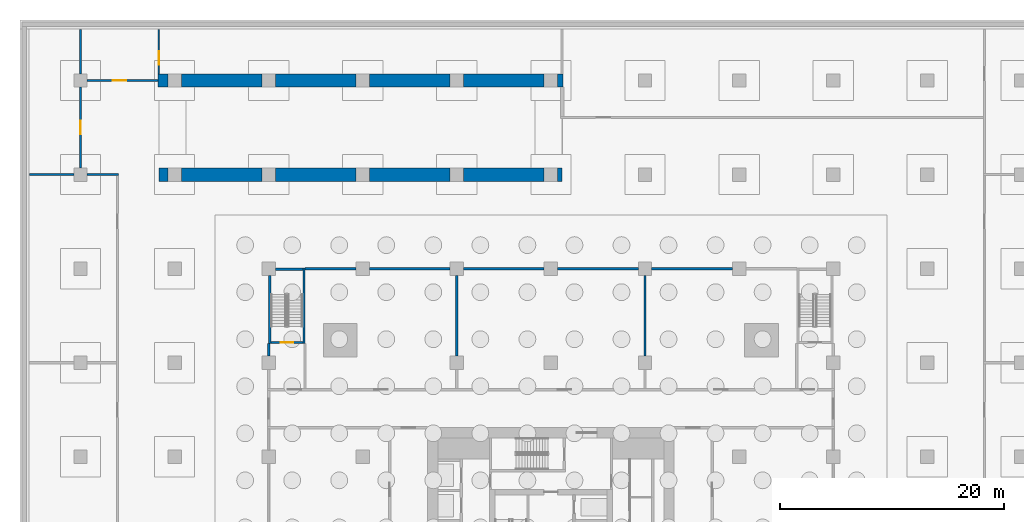
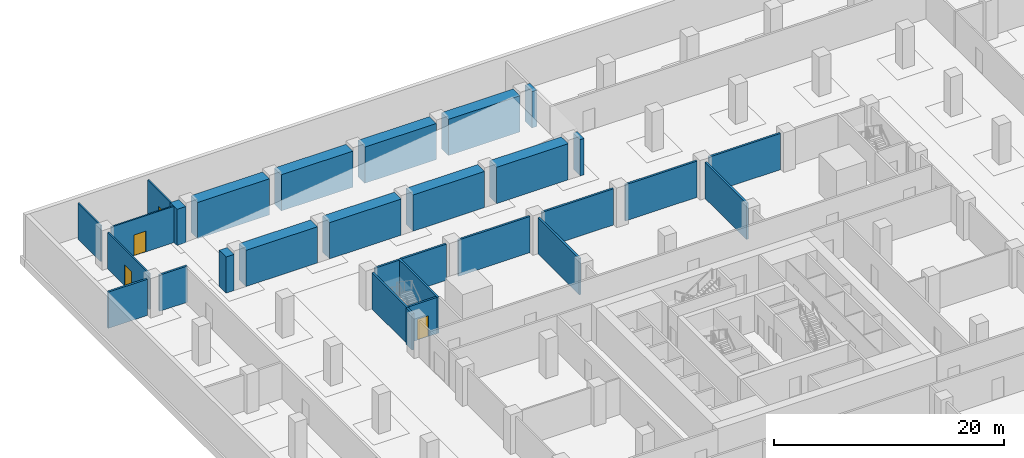
# One storey, part 11 of 19: 30 walls, 4 doors, 4 openings.
"""IFC4 building model written with IfcOpenShell, lengths in metres."""

from ifc_helpers import new_model, si_unit, direction, frame, frame_2d, origin, place, context, subcontext, project, spatial, rectangle, extrude, material, layer, layer_set, type_object, element, fill, save


model = new_model("IFC4")

# Units and contexts
model_context = context("Model", 3, precision=1e-05, world=origin(), true_north=direction((0.0, 1.0)))
body_context = subcontext(model_context, "Body", "Model", "MODEL_VIEW")
ifc_project = project(units=[si_unit("LENGTHUNIT", "METRE"), si_unit("AREAUNIT", "SQUARE_METRE"), si_unit("VOLUMEUNIT", "CUBIC_METRE"), si_unit("PLANEANGLEUNIT", "RADIAN"), si_unit("MASSUNIT", "GRAM", prefix="KILO")], contexts=[model_context])

# Site, building, storey
site_placement = place(None, origin())
site = spatial("IfcSite", under=ifc_project, at=site_placement, CompositionType="ELEMENT")
building_placement = place(site_placement, origin())
building = spatial("IfcBuilding", under=site, at=building_placement, Name="Khepri Terraces", CompositionType="ELEMENT")
storey_placement = place(building_placement, frame((0.0, 0.0, -8.39990234375)))
storey = spatial("IfcBuildingStorey", under=building, at=storey_placement, Name="B2", CompositionType="ELEMENT", Elevation=-8.39990234375)

# Wall, opening, door
ifc_material_1 = material(Name="Gypsum board partition")
ifc_layer_1 = layer(ifc_material_1, 0.14990234375, Name="Gypsum board partition")
ifc_layer_set_1 = layer_set([ifc_layer_1], Name="Gypsum board partition")
wall_type_1 = type_object("IfcWallType", Name="WL-POD-150", PredefinedType="PARTITIONING", material=ifc_layer_set_1)
wall_1_placement = place(storey_placement, frame((-41.39990234375, 42.0, 0.0), z_axis=(0.0, 0.0, 1.0), x_axis=(1.0, 0.0, 0.0)))
wall_1 = element("IfcWall", 1, at=wall_1_placement, inside=storey, type_object=wall_type_1, Name="Partition B2-PW048", PredefinedType="PARTITIONING", context=body_context, shape_type="SweptSolid", body=[
    extrude(rectangle(XDim=6.324951171875, YDim=0.14990234375, at=frame_2d((3.16259765625, 0.0))), origin(), (0.0, 0.0, 1.0), 3.849853515625),
])
opening_1_placement = place(wall_1_placement, frame((2.300048828125, 0.0, 0.0)))
opening_1 = element("IfcOpeningElement", 2, at=opening_1_placement, cuts=wall_1, Name="Opening B2-P37", PredefinedType="OPENING", context=body_context, shape_type="SweptSolid", body=[
    extrude(rectangle(XDim=1.199951171875, YDim=2.199951171875, at=frame_2d((0.60009765625, 1.10009765625))), frame((0.0, 0.0849609375, 0.0), z_axis=(0.0, -1.0, 0.0), x_axis=(1.0, 0.0, 0.0)), (0.0, 0.0, 1.0), 0.169921875),
])
ifc_material_2 = material(Name="Timber veneer", Category="wood")
door_type_1 = type_object("IfcDoorType", Name="DR-POD-SINGLE-1200", OperationType="NOTDEFINED", PredefinedType="DOOR", material=ifc_material_2)
door_1_placement = place(opening_1_placement, origin())
door_1 = element("IfcDoor", 3, at=door_1_placement, inside=storey, type_object=door_type_1, Name="Door B2-P37", OperationType="SINGLE_SWING_LEFT", OverallHeight=2.199951171875, OverallWidth=1.199951171875, PredefinedType="DOOR", context=body_context, shape_type="SweptSolid", body=[
    extrude(rectangle(XDim=1.199951171875, YDim=2.199951171875, at=frame_2d((0.60009765625, 1.10009765625))), frame((0.0, 0.02490234375, 0.0), z_axis=(0.0, -1.0, 0.0), x_axis=(1.0, 0.0, 0.0)), (0.0, 0.0, 1.0), 0.050048828125),
])
fill(opening_1, door_1)

wall_2_placement = place(storey_placement, frame((-42.0, 34.199951171875, 0.0), z_axis=(0.0, 0.0, 1.0), x_axis=(0.0, 1.0, 0.0)))
wall_2 = element("IfcWall", 4, at=wall_2_placement, inside=storey, type_object=wall_type_1, Name="Partition B2-PW055", PredefinedType="PARTITIONING", context=body_context, shape_type="SweptSolid", body=[
    extrude(rectangle(XDim=7.199951171875, YDim=0.14990234375, at=frame_2d((3.60009765625, 0.0))), origin(), (0.0, 0.0, 1.0), 3.849853515625),
])
opening_2_placement = place(wall_2_placement, frame((3.0, 0.0, 0.0)))
opening_2 = element("IfcOpeningElement", 5, at=opening_2_placement, cuts=wall_2, Name="Opening B2-P35", PredefinedType="OPENING", context=body_context, shape_type="SweptSolid", body=[
    extrude(rectangle(XDim=1.199951171875, YDim=2.199951171875, at=frame_2d((0.60009765625, 1.10009765625))), frame((0.0, 0.0849609375, 0.0), z_axis=(0.0, -1.0, 0.0), x_axis=(1.0, 0.0, 0.0)), (0.0, 0.0, 1.0), 0.169921875),
])
door_2_placement = place(opening_2_placement, origin())
door_2 = element("IfcDoor", 6, at=door_2_placement, inside=storey, type_object=door_type_1, Name="Door B2-P35", OperationType="SINGLE_SWING_LEFT", OverallHeight=2.199951171875, OverallWidth=1.199951171875, PredefinedType="DOOR", context=body_context, shape_type="SweptSolid", body=[
    extrude(rectangle(XDim=1.199951171875, YDim=2.199951171875, at=frame_2d((0.60009765625, 1.10009765625))), frame((0.0, 0.02490234375, 0.0), z_axis=(0.0, -1.0, 0.0), x_axis=(1.0, 0.0, 0.0)), (0.0, 0.0, 1.0), 0.050048828125),
])
fill(opening_2, door_2)

# Wall
wall_3_placement = place(storey_placement, frame((-42.0, 42.60009765625, 0.0), z_axis=(0.0, 0.0, 1.0), x_axis=(0.0, 1.0, 0.0)))
element("IfcWall", 7, at=wall_3_placement, inside=storey, type_object=wall_type_1, Name="Partition B2-PW056", PredefinedType="PARTITIONING", context=body_context, shape_type="SweptSolid", body=[
    extrude(rectangle(XDim=3.949951171875, YDim=0.14990234375, at=frame_2d((1.97509765625, 0.0))), origin(), (0.0, 0.0, 1.0), 3.849853515625),
])

# Wall, opening, door
wall_4_placement = place(storey_placement, frame((-35.0, 42.60009765625, 0.0), z_axis=(0.0, 0.0, 1.0), x_axis=(0.0, 1.0, 0.0)))
wall_4 = element("IfcWall", 8, at=wall_4_placement, inside=storey, type_object=wall_type_1, Name="Partition B2-PW058", PredefinedType="PARTITIONING", context=body_context, shape_type="SweptSolid", body=[
    extrude(rectangle(XDim=3.949951171875, YDim=0.14990234375, at=frame_2d((1.97509765625, 0.0))), origin(), (0.0, 0.0, 1.0), 3.849853515625),
])
opening_3_placement = place(wall_4_placement, frame((0.800048828125, 0.0, 0.0)))
opening_3 = element("IfcOpeningElement", 9, at=opening_3_placement, cuts=wall_4, Name="Opening B2-P39", PredefinedType="OPENING", context=body_context, shape_type="SweptSolid", body=[
    extrude(rectangle(XDim=1.199951171875, YDim=2.199951171875, at=frame_2d((0.60009765625, 1.10009765625))), frame((0.0, 0.0849609375, 0.0), z_axis=(0.0, -1.0, 0.0), x_axis=(1.0, 0.0, 0.0)), (0.0, 0.0, 1.0), 0.169921875),
])
door_3_placement = place(opening_3_placement, origin())
door_3 = element("IfcDoor", 10, at=door_3_placement, inside=storey, type_object=door_type_1, Name="Door B2-P39", OperationType="SINGLE_SWING_RIGHT", OverallHeight=2.199951171875, OverallWidth=1.199951171875, PredefinedType="DOOR", context=body_context, shape_type="SweptSolid", body=[
    extrude(rectangle(XDim=1.199951171875, YDim=2.199951171875, at=frame_2d((0.60009765625, 1.10009765625))), frame((0.0, 0.02490234375, 0.0), z_axis=(0.0, -1.0, 0.0), x_axis=(1.0, 0.0, 0.0)), (0.0, 0.0, 1.0), 0.050048828125),
])
fill(opening_3, door_3)

# Walls
ifc_material_3 = material(Name="Fire-rated block wall")
ifc_layer_2 = layer(ifc_material_3, 0.199951171875, Name="Fire-rated block wall")
ifc_layer_set_2 = layer_set([ifc_layer_2], Name="Fire-rated block wall")
wall_type_2 = type_object("IfcWallType", Name="WL-POD-200-EI120", PredefinedType="PARTITIONING", material=ifc_layer_set_2)
wall_5_placement = place(storey_placement, frame((-21.949951171875, 25.199951171875, 0.0), z_axis=(0.0, 0.0, 1.0), x_axis=(1.0, 0.0, 0.0)))
element("IfcWall", 11, at=wall_5_placement, inside=storey, type_object=wall_type_2, Name="Partition B2-PW031", PredefinedType="PARTITIONING", context=body_context, shape_type="SweptSolid", body=[
    extrude(rectangle(XDim=4.550048828125, YDim=0.199951171875, at=frame_2d((2.27490234375, 0.0))), origin(), (0.0, 0.0, 1.0), 3.849853515625),
])
for number, where, z_axis, x_axis, name in (
    (12, (-16.199951171875, 25.199951171875, 0.0), (0.0, 0.0, 1.0), (1.0, 0.0, 0.0), "Partition B2-PW032"),
    (13, (-7.800048828125, 25.199951171875, 0.0), (0.0, 0.0, 1.0), (1.0, 0.0, 0.0), "Partition B2-PW033"),
    (14, (0.60009765625, 25.199951171875, 0.0), (0.0, 0.0, 1.0), (1.0, 0.0, 0.0), "Partition B2-PW034"),
    (15, (9.0, 25.199951171875, 0.0), (0.0, 0.0, 1.0), (1.0, 0.0, 0.0), "Partition B2-PW035"),
):
    element("IfcWall", number, at=place(storey_placement, frame(where, z_axis=z_axis, x_axis=x_axis)), inside=storey, type_object=wall_type_2, Name=name, PredefinedType="PARTITIONING", context=body_context, shape_type="SweptSolid", body=[
        extrude(rectangle(XDim=7.199951171875, YDim=0.199951171875, at=frame_2d((3.60009765625, 0.0))), origin(), (0.0, 0.0, 1.0), 3.849853515625),
    ])
wall_6_placement = place(storey_placement, frame((-46.550048828125, 33.60009765625, 0.0), z_axis=(0.0, 0.0, 1.0), x_axis=(1.0, 0.0, 0.0)))
element("IfcWall", 16, at=wall_6_placement, inside=storey, type_object=wall_type_2, Name="Partition B2-PW037", PredefinedType="PARTITIONING", context=body_context, shape_type="SweptSolid", body=[
    extrude(rectangle(XDim=3.949951171875, YDim=0.199951171875, at=frame_2d((1.97509765625, 0.0))), origin(), (0.0, 0.0, 1.0), 3.849853515625),
])
wall_7_placement = place(storey_placement, frame((-41.39990234375, 33.60009765625, 0.0), z_axis=(0.0, 0.0, 1.0), x_axis=(1.0, 0.0, 0.0)))
element("IfcWall", 17, at=wall_7_placement, inside=storey, type_object=wall_type_2, Name="Partition B2-PW038", PredefinedType="PARTITIONING", context=body_context, shape_type="SweptSolid", body=[
    extrude(rectangle(XDim=2.7998046875, YDim=0.199951171875, at=frame_2d((1.39990234375, 0.0))), origin(), (0.0, 0.0, 1.0), 3.849853515625),
])
wall_8_placement = place(storey_placement, frame((-25.199951171875, 17.39990234375, 0.0), z_axis=(0.0, 0.0, 1.0), x_axis=(0.0, 1.0, 0.0)))
element("IfcWall", 18, at=wall_8_placement, inside=storey, type_object=wall_type_2, Name="Partition B2-PW068", PredefinedType="PARTITIONING", context=body_context, shape_type="SweptSolid", body=[
    extrude(rectangle(XDim=1.10009765625, YDim=0.199951171875, at=frame_2d((0.550048828125, 0.0))), origin(), (0.0, 0.0, 1.0), 3.849853515625),
])
for number, where, z_axis, x_axis, name in (
    (19, (-8.39990234375, 17.39990234375, 0.0), (0.0, 0.0, 1.0), (0.0, 1.0, 0.0), "Partition B2-PW077"),
    (20, (8.39990234375, 17.39990234375, 0.0), (0.0, 0.0, 1.0), (0.0, 1.0, 0.0), "Partition B2-PW085"),
):
    element("IfcWall", number, at=place(storey_placement, frame(where, z_axis=z_axis, x_axis=x_axis)), inside=storey, type_object=wall_type_2, Name=name, PredefinedType="PARTITIONING", context=body_context, shape_type="SweptSolid", body=[
        extrude(rectangle(XDim=7.2001953125, YDim=0.199951171875, at=frame_2d((3.60009765625, 0.0))), origin(), (0.0, 0.0, 1.0), 3.849853515625),
    ])
ifc_material_4 = material(Name="Concrete C40/50", Category="concrete")
ifc_layer_3 = layer(ifc_material_4, 1.199951171875, Name="Concrete C40/50", Category="concrete")
ifc_layer_set_3 = layer_set([ifc_layer_3], Name="Concrete C40/50")
wall_type_3 = type_object("IfcWallType", Name="WL-POD-RAMP-1200", PredefinedType="SOLIDWALL", material=ifc_layer_set_3)
wall_9_placement = place(storey_placement, frame((-35.0, 33.60009765625, 0.0), z_axis=(0.0, 0.0, 1.0), x_axis=(1.0, 0.0, 0.0)))
element("IfcWall", 21, at=wall_9_placement, inside=storey, type_object=wall_type_3, Name="Ramp wall B2-PW039", PredefinedType="SOLIDWALL", context=body_context, shape_type="SweptSolid", body=[
    extrude(rectangle(XDim=0.800048828125, YDim=1.199951171875, at=frame_2d((0.39990234375, 0.0))), origin(), (0.0, 0.0, 1.0), 3.849853515625),
])
wall_10_placement = place(storey_placement, frame((-33.0, 33.60009765625, 0.0), z_axis=(0.0, 0.0, 1.0), x_axis=(1.0, 0.0, 0.0)))
element("IfcWall", 22, at=wall_10_placement, inside=storey, type_object=wall_type_3, Name="Ramp wall B2-PW040", PredefinedType="SOLIDWALL", context=body_context, shape_type="SweptSolid", body=[
    extrude(rectangle(XDim=7.199951171875, YDim=1.199951171875, at=frame_2d((3.60009765625, 0.0))), origin(), (0.0, 0.0, 1.0), 3.849853515625),
])
wall_11_placement = place(storey_placement, frame((-24.60009765625, 33.60009765625, 0.0), z_axis=(0.0, 0.0, 1.0), x_axis=(1.0, 0.0, 0.0)))
element("IfcWall", 23, at=wall_11_placement, inside=storey, type_object=wall_type_3, Name="Ramp wall B2-PW041", PredefinedType="SOLIDWALL", context=body_context, shape_type="SweptSolid", body=[
    extrude(rectangle(XDim=7.2001953125, YDim=1.199951171875, at=frame_2d((3.60009765625, 0.0))), origin(), (0.0, 0.0, 1.0), 3.849853515625),
])
for number, where, z_axis, x_axis, name in (
    (24, (-16.199951171875, 33.60009765625, 0.0), (0.0, 0.0, 1.0), (1.0, 0.0, 0.0), "Ramp wall B2-PW042"),
    (25, (-7.800048828125, 33.60009765625, 0.0), (0.0, 0.0, 1.0), (1.0, 0.0, 0.0), "Ramp wall B2-PW043"),
):
    element("IfcWall", number, at=place(storey_placement, frame(where, z_axis=z_axis, x_axis=x_axis)), inside=storey, type_object=wall_type_3, Name=name, PredefinedType="SOLIDWALL", context=body_context, shape_type="SweptSolid", body=[
        extrude(rectangle(XDim=7.199951171875, YDim=1.199951171875, at=frame_2d((3.60009765625, 0.0))), origin(), (0.0, 0.0, 1.0), 3.849853515625),
    ])
wall_12_placement = place(storey_placement, frame((0.60009765625, 33.60009765625, 0.0), z_axis=(0.0, 0.0, 1.0), x_axis=(1.0, 0.0, 0.0)))
element("IfcWall", 26, at=wall_12_placement, inside=storey, type_object=wall_type_3, Name="Ramp wall B2-PW044", PredefinedType="SOLIDWALL", context=body_context, shape_type="SweptSolid", body=[
    extrude(rectangle(XDim=0.39990234375, YDim=1.199951171875, at=frame_2d((0.199951171875, 0.0))), origin(), (0.0, 0.0, 1.0), 3.849853515625),
])
wall_13_placement = place(storey_placement, frame((-35.074951171875, 42.0, 0.0), z_axis=(0.0, 0.0, 1.0), x_axis=(1.0, 0.0, 0.0)))
element("IfcWall", 27, at=wall_13_placement, inside=storey, type_object=wall_type_3, Name="Ramp wall B2-PW049", PredefinedType="SOLIDWALL", context=body_context, shape_type="SweptSolid", body=[
    extrude(rectangle(XDim=0.875, YDim=1.199951171875, at=frame_2d((0.4375, 0.0))), origin(), (0.0, 0.0, 1.0), 3.849853515625),
])
wall_14_placement = place(storey_placement, frame((-33.0, 42.0, 0.0), z_axis=(0.0, 0.0, 1.0), x_axis=(1.0, 0.0, 0.0)))
element("IfcWall", 28, at=wall_14_placement, inside=storey, type_object=wall_type_3, Name="Ramp wall B2-PW050", PredefinedType="SOLIDWALL", context=body_context, shape_type="SweptSolid", body=[
    extrude(rectangle(XDim=7.199951171875, YDim=1.199951171875, at=frame_2d((3.60009765625, 0.0))), origin(), (0.0, 0.0, 1.0), 3.849853515625),
])
wall_15_placement = place(storey_placement, frame((-24.60009765625, 42.0, 0.0), z_axis=(0.0, 0.0, 1.0), x_axis=(1.0, 0.0, 0.0)))
element("IfcWall", 29, at=wall_15_placement, inside=storey, type_object=wall_type_3, Name="Ramp wall B2-PW051", PredefinedType="SOLIDWALL", context=body_context, shape_type="SweptSolid", body=[
    extrude(rectangle(XDim=7.2001953125, YDim=1.199951171875, at=frame_2d((3.60009765625, 0.0))), origin(), (0.0, 0.0, 1.0), 3.849853515625),
])
for number, where, z_axis, x_axis, name in (
    (30, (-16.199951171875, 42.0, 0.0), (0.0, 0.0, 1.0), (1.0, 0.0, 0.0), "Ramp wall B2-PW052"),
    (31, (-7.800048828125, 42.0, 0.0), (0.0, 0.0, 1.0), (1.0, 0.0, 0.0), "Ramp wall B2-PW053"),
):
    element("IfcWall", number, at=place(storey_placement, frame(where, z_axis=z_axis, x_axis=x_axis)), inside=storey, type_object=wall_type_3, Name=name, PredefinedType="SOLIDWALL", context=body_context, shape_type="SweptSolid", body=[
        extrude(rectangle(XDim=7.199951171875, YDim=1.199951171875, at=frame_2d((3.60009765625, 0.0))), origin(), (0.0, 0.0, 1.0), 3.849853515625),
    ])
wall_16_placement = place(storey_placement, frame((0.60009765625, 42.0, 0.0), z_axis=(0.0, 0.0, 1.0), x_axis=(1.0, 0.0, 0.0)))
element("IfcWall", 32, at=wall_16_placement, inside=storey, type_object=wall_type_3, Name="Ramp wall B2-PW054", PredefinedType="SOLIDWALL", context=body_context, shape_type="SweptSolid", body=[
    extrude(rectangle(XDim=0.5, YDim=1.199951171875, at=frame_2d((0.25, 0.0))), origin(), (0.0, 0.0, 1.0), 3.849853515625),
])
ifc_layer_4 = layer(ifc_material_4, 0.199951171875, Name="Concrete C40/50", Category="concrete")
ifc_layer_set_4 = layer_set([ifc_layer_4], Name="Concrete C40/50")
wall_type_4 = type_object("IfcWallType", Name="WL-POD-STAIR-200", PredefinedType="SOLIDWALL", material=ifc_layer_set_4)
wall_17_placement = place(storey_placement, frame((-25.10009765625, 18.5, 0.0), z_axis=(0.0, 0.0, 1.0), x_axis=(0.0, 1.0, 0.0)))
element("IfcWall", 33, at=wall_17_placement, inside=storey, type_object=wall_type_4, Name="Stair enclosure PS-2 B2-W", PredefinedType="SOLIDWALL", context=body_context, shape_type="SweptSolid", body=[
    extrude(rectangle(XDim=6.10009765625, YDim=0.199951171875, at=frame_2d((3.050048828125, 0.0))), origin(), (0.0, 0.0, 1.0), 3.849853515625),
])
wall_18_placement = place(storey_placement, frame((-22.050048828125, 18.5, 0.0), z_axis=(0.0, 0.0, 1.0), x_axis=(0.0, 1.0, 0.0)))
element("IfcWall", 34, at=wall_18_placement, inside=storey, type_object=wall_type_4, Name="Stair enclosure PS-2 B2-E", PredefinedType="SOLIDWALL", context=body_context, shape_type="SweptSolid", body=[
    extrude(rectangle(XDim=6.739990234375, YDim=0.199951171875, at=frame_2d((3.3701171875, 0.0))), origin(), (0.0, 0.0, 1.0), 3.849853515625),
])

# Wall, opening, door
wall_19_placement = place(storey_placement, frame((-25.0, 18.60009765625, 0.0), z_axis=(0.0, 0.0, 1.0), x_axis=(1.0, 0.0, 0.0)))
wall_19 = element("IfcWall", 35, at=wall_19_placement, inside=storey, type_object=wall_type_4, Name="Stair enclosure PS-2 B2-S", PredefinedType="SOLIDWALL", context=body_context, shape_type="SweptSolid", body=[
    extrude(rectangle(XDim=2.85009765625, YDim=0.199951171875, at=frame_2d((1.425048828125, 0.0))), origin(), (0.0, 0.0, 1.0), 3.849853515625),
])
opening_4_placement = place(wall_19_placement, frame((0.875, 0.0, 0.0)))
opening_4 = element("IfcOpeningElement", 36, at=opening_4_placement, cuts=wall_19, Name="Opening B2-PS-2D", PredefinedType="OPENING", context=body_context, shape_type="SweptSolid", body=[
    extrude(rectangle(XDim=1.10009765625, YDim=2.199951171875, at=frame_2d((0.550048828125, 1.10009765625))), frame((0.0, 0.10986328125, 0.0), z_axis=(0.0, -1.0, 0.0), x_axis=(1.0, 0.0, 0.0)), (0.0, 0.0, 1.0), 0.219970703125),
])
ifc_material_5 = material(Name="Painted steel", Category="steel")
door_type_2 = type_object("IfcDoorType", Name="DR-POD-STAIR-1100", OperationType="NOTDEFINED", PredefinedType="DOOR", material=ifc_material_5)
door_4_placement = place(opening_4_placement, origin())
door_4 = element("IfcDoor", 37, at=door_4_placement, inside=storey, type_object=door_type_2, Name="Stair door B2-PS-2D", OperationType="SINGLE_SWING_LEFT", OverallHeight=2.199951171875, OverallWidth=1.10009765625, PredefinedType="DOOR", context=body_context, shape_type="SweptSolid", body=[
    extrude(rectangle(XDim=1.10009765625, YDim=2.199951171875, at=frame_2d((0.550048828125, 1.10009765625))), frame((0.0, 0.02490234375, 0.0), z_axis=(0.0, -1.0, 0.0), x_axis=(1.0, 0.0, 0.0)), (0.0, 0.0, 1.0), 0.050048828125),
])
fill(opening_4, door_4)

# Wall
wall_20_placement = place(storey_placement, frame((-24.60009765625, 25.139892578125, 0.0), z_axis=(0.0, 0.0, 1.0), x_axis=(1.0, 0.0, 0.0)))
element("IfcWall", 38, at=wall_20_placement, inside=storey, type_object=wall_type_4, Name="Stair enclosure PS-2 B2-N", PredefinedType="SOLIDWALL", context=body_context, shape_type="SweptSolid", body=[
    extrude(rectangle(XDim=2.4501953125, YDim=0.199951171875, at=frame_2d((1.22509765625, 0.0))), origin(), (0.0, 0.0, 1.0), 3.849853515625),
])

save(model, "model.ifc")
